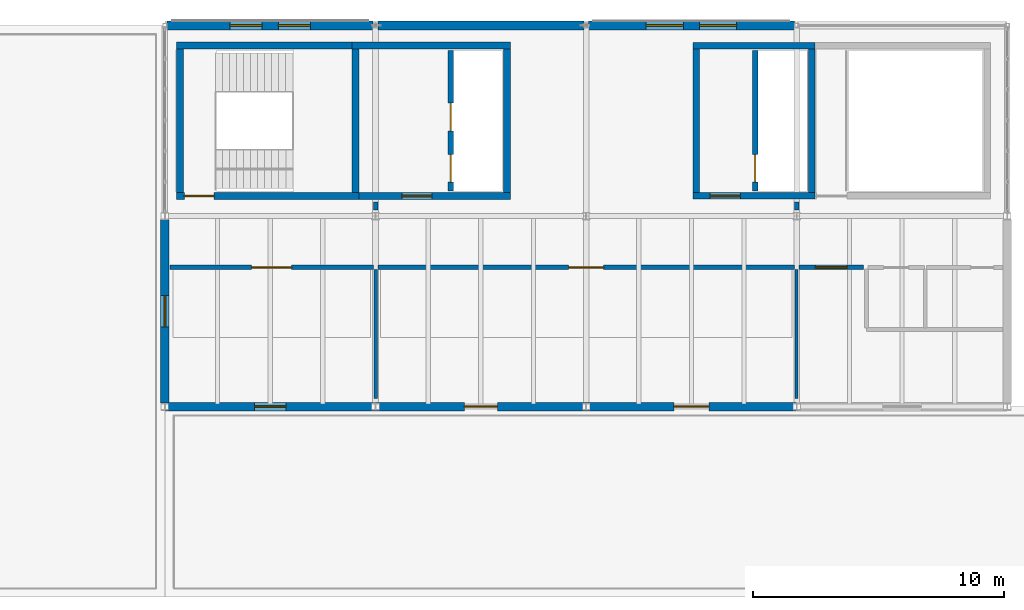
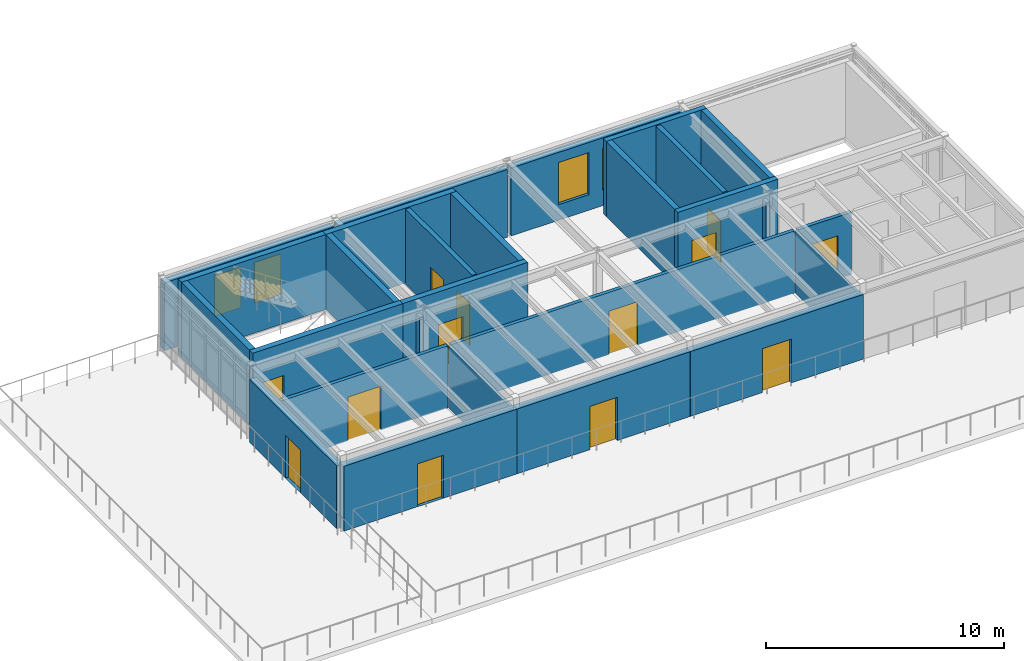
# One storey, part 21 of 26: 27 walls, 13 doors, 4 windows, 17 openings.
"""IFC4 building model written with IfcOpenShell, lengths in metres."""

from ifc_helpers import new_model, si_unit, direction, frame, frame_2d, origin, place, context, subcontext, project, spatial, rectangle, extrude, material, layer, layer_set, type_object, element, fill, save


model = new_model("IFC4")

# Units and contexts
model_context = context("Model", 3, precision=1e-05, world=origin(), true_north=direction((0.0, 1.0)))
body_context = subcontext(model_context, "Body", "Model", "MODEL_VIEW")
ifc_project = project(units=[si_unit("LENGTHUNIT", "METRE"), si_unit("AREAUNIT", "SQUARE_METRE"), si_unit("VOLUMEUNIT", "CUBIC_METRE"), si_unit("PLANEANGLEUNIT", "RADIAN"), si_unit("MASSUNIT", "GRAM", prefix="KILO")], contexts=[model_context])

# Site, building, storey
site_placement = place(None, origin())
site = spatial("IfcSite", under=ifc_project, at=site_placement, CompositionType="ELEMENT")
building_placement = place(site_placement, origin())
building = spatial("IfcBuilding", under=site, at=building_placement, Name="Montecoro Central Library", CompositionType="ELEMENT")
storey_placement = place(building_placement, frame((0.0, 0.0, 21.419921875)))
storey = spatial("IfcBuildingStorey", under=building, at=storey_placement, Name="L05", CompositionType="ELEMENT", Elevation=21.419921875)

# Wall, opening, door
ifc_material_1 = material(Name="Roman travertine stone clad concrete C35/45", Category="masonry")
ifc_layer_1 = layer(ifc_material_1, 0.344970703125)
ifc_layer_set_1 = layer_set([ifc_layer_1], Name="Roman travertine stone clad concrete C35/45")
wall_type_1 = type_object("IfcWallType", Name="EW-TRV-345", PredefinedType="SOLIDWALL", material=ifc_layer_set_1)
wall_1_placement = place(storey_placement, frame((74.803955078125, 103.800048828125, 0.0), z_axis=(0.0, 0.0, 1.0), x_axis=(1.0, 0.0, 0.0)))
wall_1 = element("IfcWall", 1, at=wall_1_placement, inside=storey, type_object=wall_type_1, Name="V2-L05-EW-S0", PredefinedType="SOLIDWALL", context=body_context, shape_type="SweptSolid", body=[
    extrude(rectangle(XDim=8.39208984375, YDim=0.344970703125, at=frame_2d((4.196044921875, 0.0))), origin(), (0.0, 0.0, 1.0), 3.320068359375),
])
opening_1_placement = place(wall_1_placement, frame((3.571044921875, 0.0, 0.0)))
opening_1 = element("IfcOpeningElement", 2, at=opening_1_placement, cuts=wall_1, Name="Opening ED-09", PredefinedType="OPENING", context=body_context, shape_type="SweptSolid", body=[
    extrude(rectangle(XDim=1.25, YDim=2.199951171875, at=frame_2d((0.625, 1.10009765625))), frame((0.0, 0.182373046875, 0.0), z_axis=(0.0, -1.0, 0.0), x_axis=(1.0, 0.0, 0.0)), (0.0, 0.0, 1.0), 0.364990234375),
])
ifc_material_2 = material(Name="Thermally broken architectural bronze and safety glass", Category="glass")
door_type_1 = type_object("IfcDoorType", Name="ED-TER-125", OperationType="NOTDEFINED", PredefinedType="DOOR", material=ifc_material_2)
door_1_placement = place(opening_1_placement, origin())
door_1 = element("IfcDoor", 3, at=door_1_placement, inside=storey, type_object=door_type_1, Name="V2-L05-TD-S0", OperationType="SINGLE_SWING_RIGHT", OverallHeight=2.199951171875, OverallWidth=1.25, PredefinedType="DOOR", context=body_context, shape_type="SweptSolid", body=[
    extrude(rectangle(XDim=1.25, YDim=2.199951171875, at=frame_2d((0.625, 1.10009765625))), frame((0.0, 0.02490234375, 0.0), z_axis=(0.0, -1.0, 0.0), x_axis=(1.0, 0.0, 0.0)), (0.0, 0.0, 1.0), 0.050048828125),
])
fill(opening_1, door_1)

wall_2_placement = place(storey_placement, frame((83.2041015625, 103.800048828125, 0.0), z_axis=(0.0, 0.0, 1.0), x_axis=(1.0, 0.0, 0.0)))
wall_2 = element("IfcWall", 4, at=wall_2_placement, inside=storey, type_object=wall_type_1, Name="V2-L05-EW-S1", PredefinedType="SOLIDWALL", context=body_context, shape_type="SweptSolid", body=[
    extrude(rectangle(XDim=8.391845703125, YDim=0.344970703125, at=frame_2d((4.19580078125, 0.0))), origin(), (0.0, 0.0, 1.0), 3.320068359375),
])
opening_2_placement = place(wall_2_placement, frame((3.535888671875, 0.0, 0.0)))
opening_2 = element("IfcOpeningElement", 5, at=opening_2_placement, cuts=wall_2, Name="Opening ED-10", PredefinedType="OPENING", context=body_context, shape_type="SweptSolid", body=[
    extrude(rectangle(XDim=1.320068359375, YDim=2.219970703125, at=frame_2d((0.66015625, 1.10986328125))), frame((0.0, 0.182373046875, 0.0), z_axis=(0.0, -1.0, 0.0), x_axis=(1.0, 0.0, 0.0)), (0.0, 0.0, 1.0), 0.364990234375),
])
door_type_2 = type_object("IfcDoorType", Name="ED-TER-132", OperationType="NOTDEFINED", PredefinedType="DOOR", material=ifc_material_2)
door_2_placement = place(opening_2_placement, origin())
door_2 = element("IfcDoor", 6, at=door_2_placement, inside=storey, type_object=door_type_2, Name="V2-L05-TD-S1", OperationType="SINGLE_SWING_LEFT", OverallHeight=2.219970703125, OverallWidth=1.320068359375, PredefinedType="DOOR", context=body_context, shape_type="SweptSolid", body=[
    extrude(rectangle(XDim=1.320068359375, YDim=2.219970703125, at=frame_2d((0.66015625, 1.10986328125))), frame((0.0, 0.02490234375, 0.0), z_axis=(0.0, -1.0, 0.0), x_axis=(1.0, 0.0, 0.0)), (0.0, 0.0, 1.0), 0.050048828125),
])
fill(opening_2, door_2)

wall_3_placement = place(storey_placement, frame((91.60400390625, 103.800048828125, 0.0), z_axis=(0.0, 0.0, 1.0), x_axis=(1.0, 0.0, 0.0)))
wall_3 = element("IfcWall", 7, at=wall_3_placement, inside=storey, type_object=wall_type_1, Name="V2-L05-EW-S2", PredefinedType="SOLIDWALL", context=body_context, shape_type="SweptSolid", body=[
    extrude(rectangle(XDim=8.39208984375, YDim=0.344970703125, at=frame_2d((4.196044921875, 0.0))), origin(), (0.0, 0.0, 1.0), 3.320068359375),
])
opening_3_placement = place(wall_3_placement, frame((3.49609375, 0.0, 0.0)))
opening_3 = element("IfcOpeningElement", 8, at=opening_3_placement, cuts=wall_3, Name="Opening ED-07", PredefinedType="OPENING", context=body_context, shape_type="SweptSolid", body=[
    extrude(rectangle(XDim=1.39990234375, YDim=2.25, at=frame_2d((0.699951171875, 1.125))), frame((0.0, 0.182373046875, 0.0), z_axis=(0.0, -1.0, 0.0), x_axis=(1.0, 0.0, 0.0)), (0.0, 0.0, 1.0), 0.364990234375),
])
door_type_3 = type_object("IfcDoorType", Name="ED-TER-140", OperationType="NOTDEFINED", PredefinedType="DOOR", material=ifc_material_2)
door_3_placement = place(opening_3_placement, origin())
door_3 = element("IfcDoor", 9, at=door_3_placement, inside=storey, type_object=door_type_3, Name="V2-L05-TD-S2", OperationType="SINGLE_SWING_RIGHT", OverallHeight=2.25, OverallWidth=1.39990234375, PredefinedType="DOOR", context=body_context, shape_type="SweptSolid", body=[
    extrude(rectangle(XDim=1.39990234375, YDim=2.25, at=frame_2d((0.699951171875, 1.125))), frame((0.0, 0.02490234375, 0.0), z_axis=(0.0, -1.0, 0.0), x_axis=(1.0, 0.0, 0.0)), (0.0, 0.0, 1.0), 0.050048828125),
])
fill(opening_3, door_3)

# Wall, openings, windows
wall_4_placement = place(storey_placement, frame((99.906982421875, 119.0, 0.0), z_axis=(0.0, 0.0, 1.0), x_axis=(-1.0, 0.0, 0.0)))
wall_4 = element("IfcWall", 10, at=wall_4_placement, inside=storey, type_object=wall_type_1, Name="V2-L05-EW-N2", PredefinedType="SOLIDWALL", context=body_context, shape_type="SweptSolid", body=[
    extrude(rectangle(XDim=8.2138671875, YDim=0.344970703125, at=frame_2d((4.10693359375, 0.0))), origin(), (0.0, 0.0, 1.0), 3.47998046875),
])
opening_4_placement = place(wall_4_placement, frame((2.302001953125, 0.0, 0.800048828125)))
opening_4 = element("IfcOpeningElement", 11, at=opening_4_placement, cuts=wall_4, Name="Opening WN-25", PredefinedType="OPENING", context=body_context, shape_type="SweptSolid", body=[
    extrude(rectangle(XDim=1.47998046875, YDim=2.159912109375, at=frame_2d((0.739990234375, 1.080078125))), frame((0.0, 0.182373046875, 0.0), z_axis=(0.0, -1.0, 0.0), x_axis=(1.0, 0.0, 0.0)), (0.0, 0.0, 1.0), 0.364990234375),
])
opening_5_placement = place(wall_4_placement, frame((4.431884765625, 0.0, 0.800048828125)))
opening_5 = element("IfcOpeningElement", 12, at=opening_5_placement, cuts=wall_4, Name="Opening WN-25", PredefinedType="OPENING", context=body_context, shape_type="SweptSolid", body=[
    extrude(rectangle(XDim=1.47998046875, YDim=2.159912109375, at=frame_2d((0.739990234375, 1.080078125))), frame((0.0, 0.182373046875, 0.0), z_axis=(0.0, -1.0, 0.0), x_axis=(1.0, 0.0, 0.0)), (0.0, 0.0, 1.0), 0.364990234375),
])
ifc_material_3 = material(Name="Laminated low-E double glazing", Category="glass")
window_type_1 = type_object("IfcWindowType", Name="WN-RDG-148", PartitioningType="SINGLE_PANEL", PredefinedType="WINDOW", material=ifc_material_3)
window_1_placement = place(opening_4_placement, origin())
window_1 = element("IfcWindow", 13, at=window_1_placement, inside=storey, type_object=window_type_1, Name="V2-L05-WN-N2-1", OverallHeight=2.159912109375, OverallWidth=1.47998046875, PartitioningType="SINGLE_PANEL", PredefinedType="WINDOW", context=body_context, shape_type="SweptSolid", body=[
    extrude(rectangle(XDim=1.47998046875, YDim=2.159912109375, at=frame_2d((0.739990234375, 1.080078125))), frame((0.0, 0.030029296875, 0.0), z_axis=(0.0, -1.0, 0.0), x_axis=(1.0, 0.0, 0.0)), (0.0, 0.0, 1.0), 0.06005859375),
])
fill(opening_4, window_1)
window_2_placement = place(opening_5_placement, origin())
window_2 = element("IfcWindow", 14, at=window_2_placement, inside=storey, type_object=window_type_1, Name="V2-L05-WN-N2-2", OverallHeight=2.159912109375, OverallWidth=1.47998046875, PartitioningType="SINGLE_PANEL", PredefinedType="WINDOW", context=body_context, shape_type="SweptSolid", body=[
    extrude(rectangle(XDim=1.47998046875, YDim=2.159912109375, at=frame_2d((0.739990234375, 1.080078125))), frame((0.0, 0.030029296875, 0.0), z_axis=(0.0, -1.0, 0.0), x_axis=(1.0, 0.0, 0.0)), (0.0, 0.0, 1.0), 0.06005859375),
])
fill(opening_5, window_2)

# Wall
wall_5_placement = place(storey_placement, frame((91.507080078125, 119.0, 0.0), z_axis=(0.0, 0.0, 1.0), x_axis=(-1.0, 0.0, 0.0)))
element("IfcWall", 15, at=wall_5_placement, inside=storey, type_object=wall_type_1, Name="V2-L05-EW-N1", PredefinedType="SOLIDWALL", context=body_context, shape_type="SweptSolid", body=[
    extrude(rectangle(XDim=8.214111328125, YDim=0.344970703125, at=frame_2d((4.10693359375, 0.0))), origin(), (0.0, 0.0, 1.0), 3.47998046875),
])

# Wall, openings, windows
wall_6_placement = place(storey_placement, frame((83.10693359375, 119.0, 0.0), z_axis=(0.0, 0.0, 1.0), x_axis=(-1.0, 0.0, 0.0)))
wall_6 = element("IfcWall", 16, at=wall_6_placement, inside=storey, type_object=wall_type_1, Name="V2-L05-EW-N0", PredefinedType="SOLIDWALL", context=body_context, shape_type="SweptSolid", body=[
    extrude(rectangle(XDim=8.2138671875, YDim=0.344970703125, at=frame_2d((4.10693359375, 0.0))), origin(), (0.0, 0.0, 1.0), 3.47998046875),
])
opening_6_placement = place(wall_6_placement, frame((2.501953125, 0.0, 0.800048828125)))
opening_6 = element("IfcOpeningElement", 17, at=opening_6_placement, cuts=wall_6, Name="Opening WN-23", PredefinedType="OPENING", context=body_context, shape_type="SweptSolid", body=[
    extrude(rectangle(XDim=1.280029296875, YDim=2.080078125, at=frame_2d((0.64013671875, 1.0400390625))), frame((0.0, 0.182373046875, 0.0), z_axis=(0.0, -1.0, 0.0), x_axis=(1.0, 0.0, 0.0)), (0.0, 0.0, 1.0), 0.364990234375),
])
opening_7_placement = place(wall_6_placement, frame((4.431884765625, 0.0, 0.800048828125)))
opening_7 = element("IfcOpeningElement", 18, at=opening_7_placement, cuts=wall_6, Name="Opening WN-23", PredefinedType="OPENING", context=body_context, shape_type="SweptSolid", body=[
    extrude(rectangle(XDim=1.280029296875, YDim=2.080078125, at=frame_2d((0.64013671875, 1.0400390625))), frame((0.0, 0.182373046875, 0.0), z_axis=(0.0, -1.0, 0.0), x_axis=(1.0, 0.0, 0.0)), (0.0, 0.0, 1.0), 0.364990234375),
])
window_type_2 = type_object("IfcWindowType", Name="WN-RDG-128", PartitioningType="SINGLE_PANEL", PredefinedType="WINDOW", material=ifc_material_3)
window_3_placement = place(opening_6_placement, origin())
window_3 = element("IfcWindow", 19, at=window_3_placement, inside=storey, type_object=window_type_2, Name="V2-L05-WN-N0-1", OverallHeight=2.080078125, OverallWidth=1.280029296875, PartitioningType="SINGLE_PANEL", PredefinedType="WINDOW", context=body_context, shape_type="SweptSolid", body=[
    extrude(rectangle(XDim=1.280029296875, YDim=2.080078125, at=frame_2d((0.64013671875, 1.0400390625))), frame((0.0, 0.030029296875, 0.0), z_axis=(0.0, -1.0, 0.0), x_axis=(1.0, 0.0, 0.0)), (0.0, 0.0, 1.0), 0.06005859375),
])
fill(opening_6, window_3)
window_4_placement = place(opening_7_placement, origin())
window_4 = element("IfcWindow", 20, at=window_4_placement, inside=storey, type_object=window_type_2, Name="V2-L05-WN-N0-2", OverallHeight=2.080078125, OverallWidth=1.280029296875, PartitioningType="SINGLE_PANEL", PredefinedType="WINDOW", context=body_context, shape_type="SweptSolid", body=[
    extrude(rectangle(XDim=1.280029296875, YDim=2.080078125, at=frame_2d((0.64013671875, 1.0400390625))), frame((0.0, 0.030029296875, 0.0), z_axis=(0.0, -1.0, 0.0), x_axis=(1.0, 0.0, 0.0)), (0.0, 0.0, 1.0), 0.06005859375),
])
fill(opening_7, window_4)

# Wall, opening, door
wall_7_placement = place(storey_placement, frame((74.800048828125, 111.261962890625, 0.0), z_axis=(0.0, 0.0, 1.0), x_axis=(0.0, -1.0, 0.0)))
wall_7 = element("IfcWall", 21, at=wall_7_placement, inside=storey, type_object=wall_type_1, Name="V2-L05-EW-W0", PredefinedType="SOLIDWALL", context=body_context, shape_type="SweptSolid", body=[
    extrude(rectangle(XDim=7.323974609375, YDim=0.344970703125, at=frame_2d((3.662109375, 0.0))), origin(), (0.0, 0.0, 1.0), 3.219970703125),
])
opening_8_placement = place(wall_7_placement, frame((3.037109375, 0.0, 0.0)))
opening_8 = element("IfcOpeningElement", 22, at=opening_8_placement, cuts=wall_7, Name="Opening ED-09", PredefinedType="OPENING", context=body_context, shape_type="SweptSolid", body=[
    extrude(rectangle(XDim=1.25, YDim=2.199951171875, at=frame_2d((0.625, 1.10009765625))), frame((0.0, 0.182373046875, 0.0), z_axis=(0.0, -1.0, 0.0), x_axis=(1.0, 0.0, 0.0)), (0.0, 0.0, 1.0), 0.364990234375),
])
door_4_placement = place(opening_8_placement, origin())
door_4 = element("IfcDoor", 23, at=door_4_placement, inside=storey, type_object=door_type_1, Name="V2-L05-TD-W0", OperationType="SINGLE_SWING_RIGHT", OverallHeight=2.199951171875, OverallWidth=1.25, PredefinedType="DOOR", context=body_context, shape_type="SweptSolid", body=[
    extrude(rectangle(XDim=1.25, YDim=2.199951171875, at=frame_2d((0.625, 1.10009765625))), frame((0.0, 0.02490234375, 0.0), z_axis=(0.0, -1.0, 0.0), x_axis=(1.0, 0.0, 0.0)), (0.0, 0.0, 1.0), 0.050048828125),
])
fill(opening_8, door_4)

ifc_material_4 = material(Name="Gypsum fire-rated partition")
ifc_layer_2 = layer(ifc_material_4, 0.179931640625)
ifc_layer_set_2 = layer_set([ifc_layer_2], Name="Gypsum fire-rated partition")
wall_type_2 = type_object("IfcWallType", Name="IW-COR-180", PredefinedType="PARTITIONING", material=ifc_layer_set_2)
wall_8_placement = place(storey_placement, frame((75.0, 109.35009765625, 0.0), z_axis=(0.0, 0.0, 1.0), x_axis=(1.0, 0.0, 0.0)))
wall_8 = element("IfcWall", 24, at=wall_8_placement, inside=storey, type_object=wall_type_2, Name="CORW-V2-L05-01", PredefinedType="PARTITIONING", context=body_context, shape_type="SweptSolid", body=[
    extrude(rectangle(XDim=8.110107421875, YDim=0.179931640625, at=frame_2d((4.05517578125, 0.0))), origin(), (0.0, 0.0, 1.0), 3.18017578125),
])
opening_9_placement = place(wall_8_placement, frame((3.2548828125, 0.0, 0.0)))
opening_9 = element("IfcOpeningElement", 25, at=opening_9_placement, cuts=wall_8, Name="Opening ID-06", PredefinedType="OPENING", context=body_context, shape_type="SweptSolid", body=[
    extrude(rectangle(XDim=1.60009765625, YDim=2.25, at=frame_2d((0.800048828125, 1.125))), frame((0.0, 0.099853515625, 0.0), z_axis=(0.0, -1.0, 0.0), x_axis=(1.0, 0.0, 0.0)), (0.0, 0.0, 1.0), 0.199951171875),
])
ifc_material_5 = material(Name="Solid oak and fire-rated steel door", Category="steel")
door_type_4 = type_object("IfcDoorType", Name="ID-COR-160", OperationType="NOTDEFINED", PredefinedType="DOOR", material=ifc_material_5)
door_5_placement = place(opening_9_placement, origin())
door_5 = element("IfcDoor", 26, at=door_5_placement, inside=storey, type_object=door_type_4, Name="DR-SP-V2-L05-R1P1", OperationType="DOUBLE_DOOR_SINGLE_SWING", OverallHeight=2.25, OverallWidth=1.60009765625, PredefinedType="DOOR", context=body_context, shape_type="SweptSolid", body=[
    extrude(rectangle(XDim=1.60009765625, YDim=2.25, at=frame_2d((0.800048828125, 1.125))), frame((0.0, 0.02490234375, 0.0), z_axis=(0.0, -1.0, 0.0), x_axis=(1.0, 0.0, 0.0)), (0.0, 0.0, 1.0), 0.050048828125),
])
fill(opening_9, door_5)

wall_9_placement = place(storey_placement, frame((83.2900390625, 109.35009765625, 0.0), z_axis=(0.0, 0.0, 1.0), x_axis=(1.0, 0.0, 0.0)))
wall_9 = element("IfcWall", 27, at=wall_9_placement, inside=storey, type_object=wall_type_2, Name="CORW-V2-L05-02", PredefinedType="PARTITIONING", context=body_context, shape_type="SweptSolid", body=[
    extrude(rectangle(XDim=16.619873046875, YDim=0.179931640625, at=frame_2d((8.31005859375, 0.0))), origin(), (0.0, 0.0, 1.0), 3.18017578125),
])
opening_10_placement = place(wall_9_placement, frame((7.610107421875, 0.0, 0.0)))
opening_10 = element("IfcOpeningElement", 28, at=opening_10_placement, cuts=wall_9, Name="Opening ID-08", PredefinedType="OPENING", context=body_context, shape_type="SweptSolid", body=[
    extrude(rectangle(XDim=1.39990234375, YDim=2.219970703125, at=frame_2d((0.699951171875, 1.10986328125))), frame((0.0, 0.099853515625, 0.0), z_axis=(0.0, -1.0, 0.0), x_axis=(1.0, 0.0, 0.0)), (0.0, 0.0, 1.0), 0.199951171875),
])
door_type_5 = type_object("IfcDoorType", Name="ID-RDG-140", OperationType="NOTDEFINED", PredefinedType="DOOR", material=ifc_material_5)
door_6_placement = place(opening_10_placement, origin())
door_6 = element("IfcDoor", 29, at=door_6_placement, inside=storey, type_object=door_type_5, Name="DR-SP-V2-L05-R2P1", OperationType="SINGLE_SWING_RIGHT", OverallHeight=2.219970703125, OverallWidth=1.39990234375, PredefinedType="DOOR", context=body_context, shape_type="SweptSolid", body=[
    extrude(rectangle(XDim=1.39990234375, YDim=2.219970703125, at=frame_2d((0.699951171875, 1.10986328125))), frame((0.0, 0.02490234375, 0.0), z_axis=(0.0, -1.0, 0.0), x_axis=(1.0, 0.0, 0.0)), (0.0, 0.0, 1.0), 0.050048828125),
])
fill(opening_10, door_6)

wall_10_placement = place(storey_placement, frame((100.090087890625, 109.35009765625, 0.0), z_axis=(0.0, 0.0, 1.0), x_axis=(1.0, 0.0, 0.0)))
wall_10 = element("IfcWall", 30, at=wall_10_placement, inside=storey, type_object=wall_type_2, Name="CORW-V2-L05-03", PredefinedType="PARTITIONING", context=body_context, shape_type="SweptSolid", body=[
    extrude(rectangle(XDim=2.56982421875, YDim=0.179931640625, at=frame_2d((1.284912109375, 0.0))), origin(), (0.0, 0.0, 1.0), 3.18017578125),
])
opening_11_placement = place(wall_10_placement, frame((0.655029296875, 0.0, 0.0)))
opening_11 = element("IfcOpeningElement", 31, at=opening_11_placement, cuts=wall_10, Name="Opening ID-09", PredefinedType="OPENING", context=body_context, shape_type="SweptSolid", body=[
    extrude(rectangle(XDim=1.260009765625, YDim=2.199951171875, at=frame_2d((0.6298828125, 1.10009765625))), frame((0.0, 0.099853515625, 0.0), z_axis=(0.0, -1.0, 0.0), x_axis=(1.0, 0.0, 0.0)), (0.0, 0.0, 1.0), 0.199951171875),
])
door_type_6 = type_object("IfcDoorType", Name="ID-RDG-126", OperationType="NOTDEFINED", PredefinedType="DOOR", material=ifc_material_5)
door_7_placement = place(opening_11_placement, origin())
door_7 = element("IfcDoor", 32, at=door_7_placement, inside=storey, type_object=door_type_6, Name="DR-SP-V2-L05-R3P1", OperationType="SINGLE_SWING_LEFT", OverallHeight=2.199951171875, OverallWidth=1.260009765625, PredefinedType="DOOR", context=body_context, shape_type="SweptSolid", body=[
    extrude(rectangle(XDim=1.260009765625, YDim=2.199951171875, at=frame_2d((0.6298828125, 1.10009765625))), frame((0.0, 0.02490234375, 0.0), z_axis=(0.0, -1.0, 0.0), x_axis=(1.0, 0.0, 0.0)), (0.0, 0.0, 1.0), 0.050048828125),
])
fill(opening_11, door_7)

# Walls
for number, where, z_axis, x_axis, name in (
    (33, (83.199951171875, 111.639892578125, 0.0), (0.0, 0.0, 1.0), (0.0, 1.0, 0.0), "PIL-V2-L05-1"),
    (34, (100.0, 111.639892578125, 0.0), (0.0, 0.0, 1.0), (0.0, 1.0, 0.0), "PIL-V2-L05-2"),
):
    element("IfcWall", number, at=place(storey_placement, frame(where, z_axis=z_axis, x_axis=x_axis)), inside=storey, type_object=wall_type_2, Name=name, PredefinedType="PARTITIONING", context=body_context, shape_type="SweptSolid", body=[
        extrude(rectangle(XDim=0.320068359375, YDim=0.179931640625, at=frame_2d((0.16015625, 0.0))), origin(), (0.0, 0.0, 1.0), 3.18017578125),
    ])

# Wall, openings, doors
ifc_material_6 = material(Name="Concrete C32/40", Category="concrete")
ifc_layer_3 = layer(ifc_material_6, 0.219970703125)
ifc_layer_set_3 = layer_set([ifc_layer_3], Name="Concrete C32/40")
wall_type_3 = type_object("IfcWallType", Name="IW-FFL-220", PredefinedType="SOLIDWALL", material=ifc_layer_set_3)
wall_11_placement = place(storey_placement, frame((86.199951171875, 112.39990234375, 0.0), z_axis=(0.0, 0.0, 1.0), x_axis=(0.0, 1.0, 0.0)))
wall_11 = element("IfcWall", 35, at=wall_11_placement, inside=storey, type_object=wall_type_3, Name="C2-L05-WLSH", PredefinedType="SOLIDWALL", context=body_context, shape_type="SweptSolid", body=[
    extrude(rectangle(XDim=5.60009765625, YDim=0.219970703125, at=frame_2d((2.800048828125, 0.0))), origin(), (0.0, 0.0, 1.0), 3.844970703125),
])
opening_12_placement = place(wall_11_placement, frame((0.35009765625, 0.0, 0.0)))
opening_12 = element("IfcOpeningElement", 36, at=opening_12_placement, cuts=wall_11, Name="Opening LD-01", PredefinedType="OPENING", context=body_context, shape_type="SweptSolid", body=[
    extrude(rectangle(XDim=1.10009765625, YDim=2.14990234375, at=frame_2d((0.550048828125, 1.074951171875))), frame((0.0, 0.119873046875, 0.0), z_axis=(0.0, -1.0, 0.0), x_axis=(1.0, 0.0, 0.0)), (0.0, 0.0, 1.0), 0.239990234375),
])
opening_13_placement = place(wall_11_placement, frame((2.39990234375, 0.0, 0.0)))
opening_13 = element("IfcOpeningElement", 37, at=opening_13_placement, cuts=wall_11, Name="Opening LD-01", PredefinedType="OPENING", context=body_context, shape_type="SweptSolid", body=[
    extrude(rectangle(XDim=1.10009765625, YDim=2.14990234375, at=frame_2d((0.550048828125, 1.074951171875))), frame((0.0, 0.119873046875, 0.0), z_axis=(0.0, -1.0, 0.0), x_axis=(1.0, 0.0, 0.0)), (0.0, 0.0, 1.0), 0.239990234375),
])
door_type_7 = type_object("IfcDoorType", Name="LD-LIFT-110", OperationType="NOTDEFINED", PredefinedType="DOOR", material=ifc_material_5)
door_8_placement = place(opening_12_placement, origin())
door_8 = element("IfcDoor", 38, at=door_8_placement, inside=storey, type_object=door_type_7, Name="C2-L05-LD-PL-02", OperationType="SLIDING_TO_LEFT", OverallHeight=2.14990234375, OverallWidth=1.10009765625, PredefinedType="DOOR", context=body_context, shape_type="SweptSolid", body=[
    extrude(rectangle(XDim=1.10009765625, YDim=2.14990234375, at=frame_2d((0.550048828125, 1.074951171875))), frame((0.0, 0.02490234375, 0.0), z_axis=(0.0, -1.0, 0.0), x_axis=(1.0, 0.0, 0.0)), (0.0, 0.0, 1.0), 0.050048828125),
])
fill(opening_12, door_8)
door_9_placement = place(opening_13_placement, origin())
door_9 = element("IfcDoor", 39, at=door_9_placement, inside=storey, type_object=door_type_7, Name="C2-L05-LD-FFL-01", OperationType="SLIDING_TO_LEFT", OverallHeight=2.14990234375, OverallWidth=1.10009765625, PredefinedType="DOOR", context=body_context, shape_type="SweptSolid", body=[
    extrude(rectangle(XDim=1.10009765625, YDim=2.14990234375, at=frame_2d((0.550048828125, 1.074951171875))), frame((0.0, 0.02490234375, 0.0), z_axis=(0.0, -1.0, 0.0), x_axis=(1.0, 0.0, 0.0)), (0.0, 0.0, 1.0), 0.050048828125),
])
fill(opening_13, door_9)

# Wall, opening, door
wall_12_placement = place(storey_placement, frame((98.35009765625, 112.39990234375, 0.0), z_axis=(0.0, 0.0, 1.0), x_axis=(0.0, 1.0, 0.0)))
wall_12 = element("IfcWall", 40, at=wall_12_placement, inside=storey, type_object=wall_type_3, Name="C3-L05-WLSH", PredefinedType="SOLIDWALL", context=body_context, shape_type="SweptSolid", body=[
    extrude(rectangle(XDim=5.60009765625, YDim=0.219970703125, at=frame_2d((2.800048828125, 0.0))), origin(), (0.0, 0.0, 1.0), 3.844970703125),
])
opening_14_placement = place(wall_12_placement, frame((0.35009765625, 0.0, 0.0)))
opening_14 = element("IfcOpeningElement", 41, at=opening_14_placement, cuts=wall_12, Name="Opening LD-01", PredefinedType="OPENING", context=body_context, shape_type="SweptSolid", body=[
    extrude(rectangle(XDim=1.10009765625, YDim=2.14990234375, at=frame_2d((0.550048828125, 1.074951171875))), frame((0.0, 0.119873046875, 0.0), z_axis=(0.0, -1.0, 0.0), x_axis=(1.0, 0.0, 0.0)), (0.0, 0.0, 1.0), 0.239990234375),
])
door_10_placement = place(opening_14_placement, origin())
door_10 = element("IfcDoor", 42, at=door_10_placement, inside=storey, type_object=door_type_7, Name="C3-L05-LD-PL-03", OperationType="SLIDING_TO_LEFT", OverallHeight=2.14990234375, OverallWidth=1.10009765625, PredefinedType="DOOR", context=body_context, shape_type="SweptSolid", body=[
    extrude(rectangle(XDim=1.10009765625, YDim=2.14990234375, at=frame_2d((0.550048828125, 1.074951171875))), frame((0.0, 0.02490234375, 0.0), z_axis=(0.0, -1.0, 0.0), x_axis=(1.0, 0.0, 0.0)), (0.0, 0.0, 1.0), 0.050048828125),
])
fill(opening_14, door_10)

# Walls
ifc_material_7 = material(Name="Gypsum metal-stud partition")
ifc_layer_4 = layer(ifc_material_7, 0.1201171875)
ifc_layer_set_4 = layer_set([ifc_layer_4], Name="Gypsum metal-stud partition")
wall_type_4 = type_object("IfcWallType", Name="IW-PRT-120", PredefinedType="PARTITIONING", material=ifc_layer_set_4)
wall_13_placement = place(storey_placement, frame((100.0, 104.1201171875, 0.0), z_axis=(0.0, 0.0, 1.0), x_axis=(0.0, 1.0, 0.0)))
element("IfcWall", 43, at=wall_13_placement, inside=storey, type_object=wall_type_4, Name="DIVW-V2-L05-02-1", PredefinedType="PARTITIONING", context=body_context, shape_type="SweptSolid", body=[
    extrude(rectangle(XDim=5.139892578125, YDim=0.1201171875, at=frame_2d((2.56982421875, 0.0))), origin(), (0.0, 0.0, 1.0), 3.18017578125),
])
ifc_layer_5 = layer(ifc_material_7, 0.139892578125)
ifc_layer_set_5 = layer_set([ifc_layer_5], Name="Gypsum metal-stud partition")
wall_type_5 = type_object("IfcWallType", Name="IW-PRT-140", PredefinedType="PARTITIONING", material=ifc_layer_set_5)
wall_14_placement = place(storey_placement, frame((83.199951171875, 104.1201171875, 0.0), z_axis=(0.0, 0.0, 1.0), x_axis=(0.0, 1.0, 0.0)))
element("IfcWall", 44, at=wall_14_placement, inside=storey, type_object=wall_type_5, Name="DIVW-V2-L05-01-1", PredefinedType="PARTITIONING", context=body_context, shape_type="SweptSolid", body=[
    extrude(rectangle(XDim=5.139892578125, YDim=0.139892578125, at=frame_2d((2.56982421875, 0.0))), origin(), (0.0, 0.0, 1.0), 3.18017578125),
])

# Wall, opening, door
ifc_material_8 = material(Name="Concrete C35/45", Category="concrete")
ifc_layer_6 = layer(ifc_material_8, 0.260009765625)
ifc_layer_set_6 = layer_set([ifc_layer_6], Name="Concrete C35/45")
wall_type_6 = type_object("IfcWallType", Name="IW-SHR-260", PredefinedType="SHEAR", material=ifc_layer_set_6)
wall_15_placement = place(storey_placement, frame((95.8701171875, 112.199951171875, 0.0), z_axis=(0.0, 0.0, 1.0), x_axis=(1.0, 0.0, 0.0)))
wall_15 = element("IfcWall", 45, at=wall_15_placement, inside=storey, type_object=wall_type_6, Name="C3-L05-LWS", PredefinedType="SHEAR", context=body_context, shape_type="SweptSolid", body=[
    extrude(rectangle(XDim=4.85986328125, YDim=0.260009765625, at=frame_2d((2.429931640625, 0.0))), origin(), (0.0, 0.0, 1.0), 3.844970703125),
])
opening_15_placement = place(wall_15_placement, frame((0.679931640625, 0.0, 0.0)))
opening_15 = element("IfcOpeningElement", 46, at=opening_15_placement, cuts=wall_15, Name="Opening ID-03", PredefinedType="OPENING", context=body_context, shape_type="SweptSolid", body=[
    extrude(rectangle(XDim=1.199951171875, YDim=2.159912109375, at=frame_2d((0.60009765625, 1.080078125))), frame((0.0, 0.139892578125, 0.0), z_axis=(0.0, -1.0, 0.0), x_axis=(1.0, 0.0, 0.0)), (0.0, 0.0, 1.0), 0.280029296875),
])
door_type_8 = type_object("IfcDoorType", Name="ID-FFL-120", OperationType="NOTDEFINED", PredefinedType="DOOR", material=ifc_material_5)
door_11_placement = place(opening_15_placement, origin())
door_11 = element("IfcDoor", 47, at=door_11_placement, inside=storey, type_object=door_type_8, Name="C3-L05-DLOB", OperationType="SINGLE_SWING_LEFT", OverallHeight=2.159912109375, OverallWidth=1.199951171875, PredefinedType="DOOR", context=body_context, shape_type="SweptSolid", body=[
    extrude(rectangle(XDim=1.199951171875, YDim=2.159912109375, at=frame_2d((0.60009765625, 1.080078125))), frame((0.0, 0.02490234375, 0.0), z_axis=(0.0, -1.0, 0.0), x_axis=(1.0, 0.0, 0.0)), (0.0, 0.0, 1.0), 0.050048828125),
])
fill(opening_15, door_11)

# Walls
wall_16_placement = place(storey_placement, frame((100.72998046875, 118.199951171875, 0.0), z_axis=(0.0, 0.0, 1.0), x_axis=(-1.0, 0.0, 0.0)))
element("IfcWall", 48, at=wall_16_placement, inside=storey, type_object=wall_type_6, Name="C3-L05-LWN", PredefinedType="SHEAR", context=body_context, shape_type="SweptSolid", body=[
    extrude(rectangle(XDim=4.85986328125, YDim=0.260009765625, at=frame_2d((2.429931640625, 0.0))), origin(), (0.0, 0.0, 1.0), 3.844970703125),
])
for number, where, z_axis, x_axis, name in (
    (49, (96.0, 118.070068359375, 0.0), (0.0, 0.0, 1.0), (0.0, -1.0, 0.0), "C3-L05-LWW"),
    (50, (100.60009765625, 112.330078125, 0.0), (0.0, 0.0, 1.0), (0.0, 1.0, 0.0), "C3-L05-WW"),
):
    element("IfcWall", number, at=place(storey_placement, frame(where, z_axis=z_axis, x_axis=x_axis)), inside=storey, type_object=wall_type_6, Name=name, PredefinedType="SHEAR", context=body_context, shape_type="SweptSolid", body=[
        extrude(rectangle(XDim=5.739990234375, YDim=0.260009765625, at=frame_2d((2.8701171875, 0.0))), origin(), (0.0, 0.0, 1.0), 3.844970703125),
    ])

# Wall, opening, door
ifc_layer_7 = layer(ifc_material_8, 0.280029296875)
ifc_layer_set_7 = layer_set([ifc_layer_7], Name="Concrete C35/45")
wall_type_7 = type_object("IfcWallType", Name="IW-SHR-280", PredefinedType="SHEAR", material=ifc_layer_set_7)
wall_17_placement = place(storey_placement, frame((82.260009765625, 112.199951171875, 0.0), z_axis=(0.0, 0.0, 1.0), x_axis=(1.0, 0.0, 0.0)))
wall_17 = element("IfcWall", 51, at=wall_17_placement, inside=storey, type_object=wall_type_7, Name="C2-L05-LWS", PredefinedType="SHEAR", context=body_context, shape_type="SweptSolid", body=[
    extrude(rectangle(XDim=6.330078125, YDim=0.280029296875, at=frame_2d((3.1650390625, 0.0))), origin(), (0.0, 0.0, 1.0), 3.844970703125),
])
opening_16_placement = place(wall_17_placement, frame((1.989990234375, 0.0, 0.0)))
opening_16 = element("IfcOpeningElement", 52, at=opening_16_placement, cuts=wall_17, Name="Opening ID-03", PredefinedType="OPENING", context=body_context, shape_type="SweptSolid", body=[
    extrude(rectangle(XDim=1.199951171875, YDim=2.159912109375, at=frame_2d((0.60009765625, 1.080078125))), frame((0.0, 0.14990234375, 0.0), z_axis=(0.0, -1.0, 0.0), x_axis=(1.0, 0.0, 0.0)), (0.0, 0.0, 1.0), 0.300048828125),
])
door_12_placement = place(opening_16_placement, origin())
door_12 = element("IfcDoor", 53, at=door_12_placement, inside=storey, type_object=door_type_8, Name="C2-L05-DLOB", OperationType="SINGLE_SWING_LEFT", OverallHeight=2.159912109375, OverallWidth=1.199951171875, PredefinedType="DOOR", context=body_context, shape_type="SweptSolid", body=[
    extrude(rectangle(XDim=1.199951171875, YDim=2.159912109375, at=frame_2d((0.60009765625, 1.080078125))), frame((0.0, 0.02490234375, 0.0), z_axis=(0.0, -1.0, 0.0), x_axis=(1.0, 0.0, 0.0)), (0.0, 0.0, 1.0), 0.050048828125),
])
fill(opening_16, door_12)

# Walls
wall_18_placement = place(storey_placement, frame((88.590087890625, 118.199951171875, 0.0), z_axis=(0.0, 0.0, 1.0), x_axis=(-1.0, 0.0, 0.0)))
element("IfcWall", 54, at=wall_18_placement, inside=storey, type_object=wall_type_7, Name="C2-L05-LWN", PredefinedType="SHEAR", context=body_context, shape_type="SweptSolid", body=[
    extrude(rectangle(XDim=6.330078125, YDim=0.280029296875, at=frame_2d((3.1650390625, 0.0))), origin(), (0.0, 0.0, 1.0), 3.844970703125),
])
wall_19_placement = place(storey_placement, frame((88.449951171875, 112.340087890625, 0.0), z_axis=(0.0, 0.0, 1.0), x_axis=(0.0, 1.0, 0.0)))
element("IfcWall", 55, at=wall_19_placement, inside=storey, type_object=wall_type_7, Name="C2-L05-LWE", PredefinedType="SHEAR", context=body_context, shape_type="SweptSolid", body=[
    extrude(rectangle(XDim=5.719970703125, YDim=0.280029296875, at=frame_2d((2.85986328125, 0.0))), origin(), (0.0, 0.0, 1.0), 3.844970703125),
])

# Wall, opening, door
wall_20_placement = place(storey_placement, frame((75.260009765625, 112.199951171875, 0.0), z_axis=(0.0, 0.0, 1.0), x_axis=(1.0, 0.0, 0.0)))
wall_20 = element("IfcWall", 56, at=wall_20_placement, inside=storey, type_object=wall_type_7, Name="C2-L05-WS", PredefinedType="SHEAR", context=body_context, shape_type="SweptSolid", body=[
    extrude(rectangle(XDim=7.280029296875, YDim=0.280029296875, at=frame_2d((3.64013671875, 0.0))), origin(), (0.0, 0.0, 1.0), 3.844970703125),
])
opening_17_placement = place(wall_20_placement, frame((0.320068359375, 0.0, 0.0)))
opening_17 = element("IfcOpeningElement", 57, at=opening_17_placement, cuts=wall_20, Name="Opening ID-02", PredefinedType="OPENING", context=body_context, shape_type="SweptSolid", body=[
    extrude(rectangle(XDim=1.179931640625, YDim=2.179931640625, at=frame_2d((0.58984375, 1.08984375))), frame((0.0, 0.14990234375, 0.0), z_axis=(0.0, -1.0, 0.0), x_axis=(1.0, 0.0, 0.0)), (0.0, 0.0, 1.0), 0.300048828125),
])
door_type_9 = type_object("IfcDoorType", Name="ID-STR-135", OperationType="NOTDEFINED", PredefinedType="DOOR", material=ifc_material_5)
door_13_placement = place(opening_17_placement, origin())
door_13 = element("IfcDoor", 58, at=door_13_placement, inside=storey, type_object=door_type_9, Name="C2-L05-DSTR", OperationType="SINGLE_SWING_RIGHT", OverallHeight=2.179931640625, OverallWidth=1.179931640625, PredefinedType="DOOR", context=body_context, shape_type="SweptSolid", body=[
    extrude(rectangle(XDim=1.179931640625, YDim=2.179931640625, at=frame_2d((0.58984375, 1.08984375))), frame((0.0, 0.02490234375, 0.0), z_axis=(0.0, -1.0, 0.0), x_axis=(1.0, 0.0, 0.0)), (0.0, 0.0, 1.0), 0.050048828125),
])
fill(opening_17, door_13)

# Walls
wall_21_placement = place(storey_placement, frame((75.260009765625, 118.199951171875, 0.0), z_axis=(0.0, 0.0, 1.0), x_axis=(1.0, 0.0, 0.0)))
element("IfcWall", 59, at=wall_21_placement, inside=storey, type_object=wall_type_7, Name="C2-L05-WN", PredefinedType="SHEAR", context=body_context, shape_type="SweptSolid", body=[
    extrude(rectangle(XDim=7.280029296875, YDim=0.280029296875, at=frame_2d((3.64013671875, 0.0))), origin(), (0.0, 0.0, 1.0), 3.844970703125),
])
for number, where, z_axis, x_axis, name in (
    (60, (75.39990234375, 112.340087890625, 0.0), (0.0, 0.0, 1.0), (0.0, 1.0, 0.0), "C2-L05-WW"),
    (61, (82.39990234375, 112.340087890625, 0.0), (0.0, 0.0, 1.0), (0.0, 1.0, 0.0), "C2-L05-WE"),
):
    element("IfcWall", number, at=place(storey_placement, frame(where, z_axis=z_axis, x_axis=x_axis)), inside=storey, type_object=wall_type_7, Name=name, PredefinedType="SHEAR", context=body_context, shape_type="SweptSolid", body=[
        extrude(rectangle(XDim=5.719970703125, YDim=0.280029296875, at=frame_2d((2.85986328125, 0.0))), origin(), (0.0, 0.0, 1.0), 3.844970703125),
    ])

save(model, "model.ifc")
